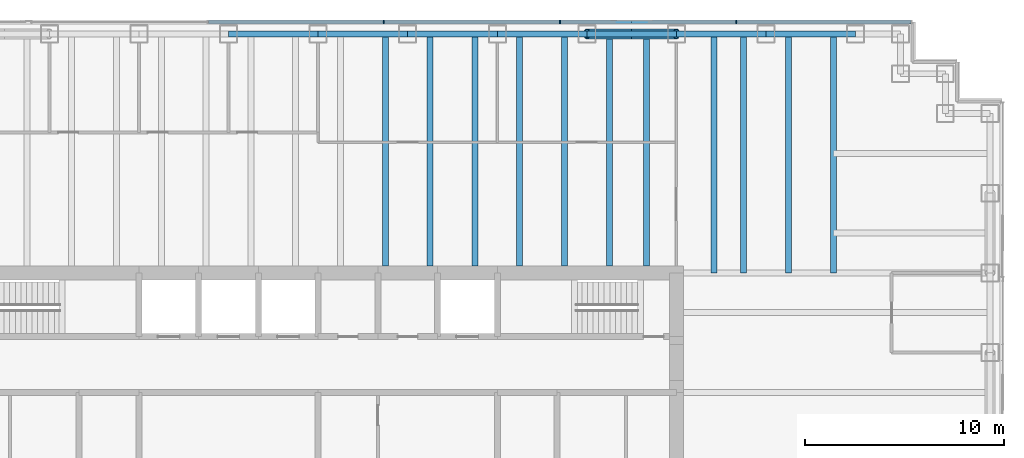
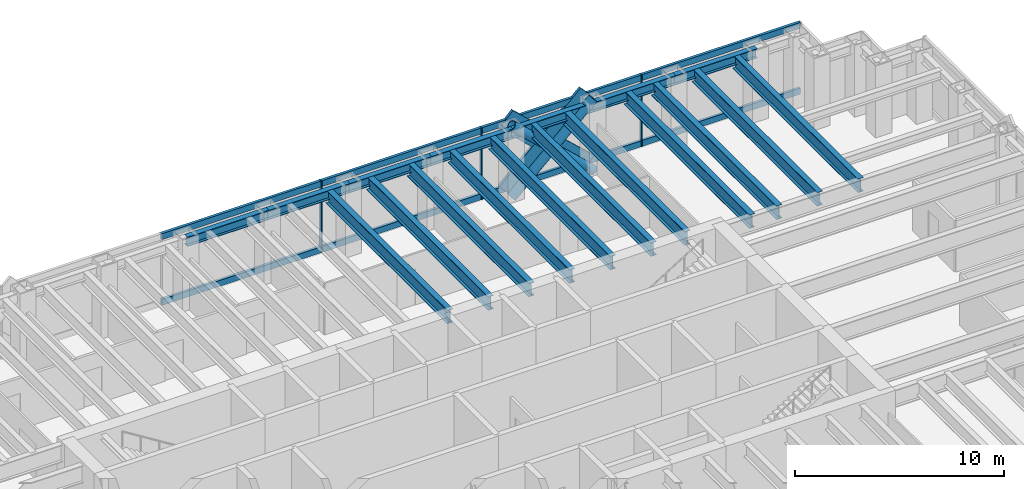
# One storey, part 7 of 17: 18 beams, 15 members, 1 element without a shape of its own.
"""IFC4 building model written with IfcOpenShell, lengths in metres."""

from ifc_helpers import new_model, si_unit, direction, frame, origin, origin_2d, place, context, subcontext, project, spatial, rectangle, hollow_circle, i_section, extrude, material, material_profile, profile_set, type_object, element, aggregate, save


model = new_model("IFC4")

# Units and contexts
model_context = context("Model", 3, precision=1e-05, world=origin(), true_north=direction((0.0, 1.0)))
body_context = subcontext(model_context, "Body", "Model", "MODEL_VIEW")
ifc_project = project(units=[si_unit("LENGTHUNIT", "METRE"), si_unit("AREAUNIT", "SQUARE_METRE"), si_unit("VOLUMEUNIT", "CUBIC_METRE"), si_unit("PLANEANGLEUNIT", "RADIAN"), si_unit("MASSUNIT", "GRAM", prefix="KILO")], contexts=[model_context])

# Site, building, storey
site_placement = place(None, origin())
site = spatial("IfcSite", under=ifc_project, at=site_placement, CompositionType="ELEMENT")
building_placement = place(site_placement, origin())
building = spatial("IfcBuilding", under=site, at=building_placement, Name="Rheinbord Bourse Tower", CompositionType="ELEMENT")
storey_placement = place(building_placement, frame((0.0, 0.0, 317.300048828125)))
storey = spatial("IfcBuildingStorey", under=building, at=storey_placement, Name="L72", CompositionType="ELEMENT", Elevation=317.300048828125)

# Curtain wall, members
ifc_material_1 = material(Name="Dark glass and black aluminium", Category="aluminium")
curtain_wall_type = type_object("IfcCurtainWallType", Name="CW3 DARK GLASS CURTAIN WALL", PredefinedType="USERDEFINED", material=ifc_material_1)
curtain_wall_placement = place(storey_placement, origin())
curtain_wall = element("IfcCurtainWall", 1, at=curtain_wall_placement, inside=storey, type_object=curtain_wall_type, Name="Curtain wall CW3 N L72", ObjectType="UNITISED CURTAIN WALL", PredefinedType="USERDEFINED")
ifc_material_2 = material(Name="Black anodised aluminium", Category="aluminium")
ifc_material_profile_1 = material_profile(ifc_material_2, rectangle(XDim=0.14990234375, YDim=1.10791015625, at=origin_2d()), Name="CW3 DIAGONAL MULLION 1108x150")
ifc_profile_set_1 = profile_set([ifc_material_profile_1], Name="Black anodised aluminium")
member_type_1 = type_object("IfcMemberType", Name="CW3 BLACK DIAGONAL MULLION", PredefinedType="USERDEFINED", material=ifc_profile_set_1)
member_1_placement = place(storey_placement, frame((54.0, 44.60009765625, 0.0), z_axis=(-0.73105922506, 0.0, 0.682314010889), x_axis=(0.0, -1.0, 0.0)))
member_1 = element("IfcMember", 2, at=member_1_placement, type_object=member_type_1, Name="CW3 diagonal mullion a", ObjectType="DIAGONAL MULLION", PredefinedType="USERDEFINED", context=body_context, shape_type="SweptSolid", body=[
    extrude(rectangle(XDim=0.14990234375, YDim=1.10791015625, at=origin_2d()), origin(), (0.0, 0.0, 1.0), 6.155517578125),
])
member_2_placement = place(storey_placement, frame((49.5, 44.60009765625, 0.0), z_axis=(0.73105922506, 0.0, 0.682314010889), x_axis=(0.0, 1.0, 0.0)))
member_2 = element("IfcMember", 3, at=member_2_placement, type_object=member_type_1, Name="CW3 diagonal mullion d", ObjectType="DIAGONAL MULLION", PredefinedType="USERDEFINED", context=body_context, shape_type="SweptSolid", body=[
    extrude(rectangle(XDim=0.14990234375, YDim=1.10791015625, at=origin_2d()), origin(), (0.0, 0.0, 1.0), 6.155517578125),
])
ifc_material_3 = material(Name="Black anodised aluminium", Category="aluminium")
ifc_material_profile_2 = material_profile(ifc_material_3, rectangle(XDim=0.199951171875, YDim=0.06494140625, at=origin_2d()), Name="CW3 MULLION 65x200")
ifc_profile_set_2 = profile_set([ifc_material_profile_2], Name="Black anodised aluminium")
member_type_2 = type_object("IfcMemberType", Name="CW3 BLACK MULLION", PredefinedType="MULLION", material=ifc_profile_set_2)
member_3_placement = place(storey_placement, frame((57.0, 44.60009765625, 0.0), z_axis=(0.0, 0.0, 1.0), x_axis=(0.0, -1.0, 0.0)))
member_3 = element("IfcMember", 4, at=member_3_placement, type_object=member_type_2, Name="CW3 mullion 2", PredefinedType="MULLION", context=body_context, shape_type="SweptSolid", body=[
    extrude(rectangle(XDim=0.199951171875, YDim=0.06494140625, at=origin_2d()), origin(), (0.0, 0.0, 1.0), 4.199951171875),
])
member_4_placement = place(storey_placement, frame((48.14990234375, 44.60009765625, 0.0), z_axis=(0.0, 0.0, 1.0), x_axis=(0.0, -1.0, 0.0)))
member_4 = element("IfcMember", 5, at=member_4_placement, type_object=member_type_2, Name="CW3 mullion 3", PredefinedType="MULLION", context=body_context, shape_type="SweptSolid", body=[
    extrude(rectangle(XDim=0.199951171875, YDim=0.06494140625, at=origin_2d()), origin(), (0.0, 0.0, 1.0), 4.199951171875),
])
member_5_placement = place(storey_placement, frame((39.300048828125, 44.60009765625, 0.0), z_axis=(0.0, 0.0, 1.0), x_axis=(0.0, -1.0, 0.0)))
member_5 = element("IfcMember", 6, at=member_5_placement, type_object=member_type_2, Name="CW3 mullion 4", PredefinedType="MULLION", context=body_context, shape_type="SweptSolid", body=[
    extrude(rectangle(XDim=0.199951171875, YDim=0.06494140625, at=origin_2d()), origin(), (0.0, 0.0, 1.0), 4.199951171875),
])
ifc_material_4 = material(Name="Black anodised aluminium", Category="aluminium")
ifc_material_profile_3 = material_profile(ifc_material_4, rectangle(XDim=0.14990234375, YDim=0.35009765625, at=origin_2d()), Name="CW3 TRANSOM 350x150")
ifc_profile_set_3 = profile_set([ifc_material_profile_3], Name="Black anodised aluminium")
member_type_3 = type_object("IfcMemberType", Name="CW3 BLACK TRANSOM", PredefinedType="USERDEFINED", material=ifc_profile_set_3)
member_6_placement = place(storey_placement, frame((65.784912109375, 44.60009765625, 0.175048828125), z_axis=(-1.0, 0.0, 0.0), x_axis=(0.0, -1.0, 0.0)))
member_6 = element("IfcMember", 7, at=member_6_placement, type_object=member_type_3, Name="CW3 transom 1.1", ObjectType="TRANSOM", PredefinedType="USERDEFINED", context=body_context, shape_type="SweptSolid", body=[
    extrude(rectangle(XDim=0.14990234375, YDim=0.35009765625, at=origin_2d()), origin(), (0.0, 0.0, 1.0), 8.75244140625),
])
member_7_placement = place(storey_placement, frame((65.784912109375, 44.60009765625, 4.02490234375), z_axis=(-1.0, 0.0, 0.0), x_axis=(0.0, -1.0, 0.0)))
member_7 = element("IfcMember", 8, at=member_7_placement, type_object=member_type_3, Name="CW3 transom 1.2", ObjectType="TRANSOM", PredefinedType="USERDEFINED", context=body_context, shape_type="SweptSolid", body=[
    extrude(rectangle(XDim=0.14990234375, YDim=0.35009765625, at=origin_2d()), origin(), (0.0, 0.0, 1.0), 8.75244140625),
])
member_8_placement = place(storey_placement, frame((56.967529296875, 44.60009765625, 0.175048828125), z_axis=(-1.0, 0.0, 0.0), x_axis=(0.0, -1.0, 0.0)))
member_8 = element("IfcMember", 9, at=member_8_placement, type_object=member_type_3, Name="CW3 transom 2.1", ObjectType="TRANSOM", PredefinedType="USERDEFINED", context=body_context, shape_type="SweptSolid", body=[
    extrude(rectangle(XDim=0.14990234375, YDim=0.35009765625, at=origin_2d()), origin(), (0.0, 0.0, 1.0), 8.784912109375),
])
member_9_placement = place(storey_placement, frame((56.967529296875, 44.60009765625, 4.02490234375), z_axis=(-1.0, 0.0, 0.0), x_axis=(0.0, -1.0, 0.0)))
member_9 = element("IfcMember", 10, at=member_9_placement, type_object=member_type_3, Name="CW3 transom 2.2", ObjectType="TRANSOM", PredefinedType="USERDEFINED", context=body_context, shape_type="SweptSolid", body=[
    extrude(rectangle(XDim=0.14990234375, YDim=0.35009765625, at=origin_2d()), origin(), (0.0, 0.0, 1.0), 8.784912109375),
])
member_10_placement = place(storey_placement, frame((48.117431640625, 44.60009765625, 0.175048828125), z_axis=(-1.0, 0.0, 0.0), x_axis=(0.0, -1.0, 0.0)))
member_10 = element("IfcMember", 11, at=member_10_placement, type_object=member_type_3, Name="CW3 transom 3.1", ObjectType="TRANSOM", PredefinedType="USERDEFINED", context=body_context, shape_type="SweptSolid", body=[
    extrude(rectangle(XDim=0.14990234375, YDim=0.35009765625, at=origin_2d()), origin(), (0.0, 0.0, 1.0), 8.784912109375),
])
member_11_placement = place(storey_placement, frame((48.117431640625, 44.60009765625, 4.02490234375), z_axis=(-1.0, 0.0, 0.0), x_axis=(0.0, -1.0, 0.0)))
member_11 = element("IfcMember", 12, at=member_11_placement, type_object=member_type_3, Name="CW3 transom 3.2", ObjectType="TRANSOM", PredefinedType="USERDEFINED", context=body_context, shape_type="SweptSolid", body=[
    extrude(rectangle(XDim=0.14990234375, YDim=0.35009765625, at=origin_2d()), origin(), (0.0, 0.0, 1.0), 8.784912109375),
])
member_12_placement = place(storey_placement, frame((39.267578125, 44.60009765625, 0.175048828125), z_axis=(-1.0, 0.0, 0.0), x_axis=(0.0, -1.0, 0.0)))
member_12 = element("IfcMember", 13, at=member_12_placement, type_object=member_type_3, Name="CW3 transom 4.1", ObjectType="TRANSOM", PredefinedType="USERDEFINED", context=body_context, shape_type="SweptSolid", body=[
    extrude(rectangle(XDim=0.14990234375, YDim=0.35009765625, at=origin_2d()), origin(), (0.0, 0.0, 1.0), 8.78515625),
])
member_13_placement = place(storey_placement, frame((39.267578125, 44.60009765625, 4.02490234375), z_axis=(-1.0, 0.0, 0.0), x_axis=(0.0, -1.0, 0.0)))
member_13 = element("IfcMember", 14, at=member_13_placement, type_object=member_type_3, Name="CW3 transom 4.2", ObjectType="TRANSOM", PredefinedType="USERDEFINED", context=body_context, shape_type="SweptSolid", body=[
    extrude(rectangle(XDim=0.14990234375, YDim=0.35009765625, at=origin_2d()), origin(), (0.0, 0.0, 1.0), 8.78515625),
])
aggregate(curtain_wall, [member_3, member_4, member_5, member_6, member_7, member_8, member_9, member_10, member_11, member_12, member_13, member_1, member_2])

# Beams
ifc_material_5 = material(Name="Steel S460", Category="steel")
ifc_material_profile_4 = material_profile(ifc_material_5, i_section(OverallWidth=0.300048828125, OverallDepth=0.800048828125, WebThickness=0.017578125, FlangeThickness=0.032958984375, at=origin_2d()), Name="HEB 800")
ifc_profile_set_4 = profile_set([ifc_material_profile_4], Name="Steel S460")
beam_type_1 = type_object("IfcBeamType", Name="FLOOR BEAM HEB 800", PredefinedType="BEAM", material=ifc_profile_set_4)
for number, where, z_axis, x_axis, name in (
    (15, (39.375, 44.0, 3.639892578125), (0.0, -1.0, 0.0), (1.0, 0.0, 0.0), "Floor beam N-36b L73"),
    (16, (41.625, 44.0, 3.639892578125), (0.0, -1.0, 0.0), (1.0, 0.0, 0.0), "Floor beam N-40.5a L73"),
    (17, (43.875, 44.0, 3.639892578125), (0.0, -1.0, 0.0), (1.0, 0.0, 0.0), "Floor beam N-40.5b L73"),
    (18, (46.125, 44.0, 3.639892578125), (0.0, -1.0, 0.0), (1.0, 0.0, 0.0), "Floor beam N-45a L73"),
    (19, (48.375, 44.0, 3.639892578125), (0.0, -1.0, 0.0), (1.0, 0.0, 0.0), "Floor beam N-45b L73"),
    (20, (50.625, 44.0, 3.639892578125), (0.0, -1.0, 0.0), (1.0, 0.0, 0.0), "Floor beam N-49.5a L73"),
    (21, (52.5, 44.0, 3.639892578125), (0.0, -1.0, 0.0), (1.0, 0.0, 0.0), "Floor beam N-49.5b L73"),
):
    element("IfcBeam", number, at=place(storey_placement, frame(where, z_axis=z_axis, x_axis=x_axis)), inside=storey, type_object=beam_type_1, Name=name, PredefinedType="BEAM", context=body_context, shape_type="SweptSolid", body=[
        extrude(i_section(OverallWidth=0.300048828125, OverallDepth=0.800048828125, WebThickness=0.017578125, FlangeThickness=0.032958984375, at=origin_2d()), origin(), (0.0, 0.0, 1.0), 11.64990234375),
    ])
for number, where, z_axis, x_axis, name in (
    (22, (55.875, 44.0, 3.639892578125), (0.0, -1.0, 0.0), (1.0, 0.0, 0.0), "Floor beam N-54a L73"),
    (23, (57.375, 44.0, 3.639892578125), (0.0, -1.0, 0.0), (1.0, 0.0, 0.0), "Floor beam N-54b L73"),
    (24, (59.625, 44.0, 3.639892578125), (0.0, -1.0, 0.0), (1.0, 0.0, 0.0), "Floor beam N-58.5a L73"),
    (25, (61.875, 44.0, 3.639892578125), (0.0, -1.0, 0.0), (1.0, 0.0, 0.0), "Floor beam N-58.5b L73"),
):
    element("IfcBeam", number, at=place(storey_placement, frame(where, z_axis=z_axis, x_axis=x_axis)), inside=storey, type_object=beam_type_1, Name=name, PredefinedType="BEAM", context=body_context, shape_type="SweptSolid", body=[
        extrude(i_section(OverallWidth=0.300048828125, OverallDepth=0.800048828125, WebThickness=0.017578125, FlangeThickness=0.032958984375, at=origin_2d()), origin(), (0.0, 0.0, 1.0), 12.0),
    ])

# Members
ifc_material_6 = material(Name="Steel S460", Category="steel")
ifc_material_profile_5 = material_profile(ifc_material_6, hollow_circle(Radius=0.25390625, WallThickness=0.030029296875, at=origin_2d()), Name="CHS 508x30")
ifc_profile_set_5 = profile_set([ifc_material_profile_5], Name="Steel S460")
member_type_4 = type_object("IfcMemberType", Name="MEGABRACE CHS 508x30", PredefinedType="BRACE", material=ifc_profile_set_5)
for number, where, z_axis, x_axis, name in (
    (26, (54.0, 44.0, 0.0), (-0.73105922506, 0.0, 0.682314010889), (0.0, -1.0, 0.0), "Megabrace N face line a L72"),
    (27, (49.5, 44.0, 0.0), (0.73105922506, 0.0, 0.682314010889), (0.0, 1.0, 0.0), "Megabrace N face line d L72"),
):
    element("IfcMember", number, at=place(storey_placement, frame(where, z_axis=z_axis, x_axis=x_axis)), inside=storey, type_object=member_type_4, Name=name, PredefinedType="BRACE", context=body_context, shape_type="SweptSolid", body=[
        extrude(hollow_circle(Radius=0.25390625, WallThickness=0.030029296875, at=origin_2d()), origin(), (0.0, 0.0, 1.0), 6.155517578125),
    ])

# Beams
ifc_material_7 = material(Name="Steel S460", Category="steel")
ifc_material_profile_6 = material_profile(ifc_material_7, i_section(OverallWidth=0.300048828125, OverallDepth=0.550048828125, WebThickness=0.014892578125, FlangeThickness=0.029052734375, at=origin_2d()), Name="HEB 550")
ifc_profile_set_6 = profile_set([ifc_material_profile_6], Name="Steel S460")
beam_type_2 = type_object("IfcBeamType", Name="SPANDREL HEB 550", PredefinedType="SPANDREL", material=ifc_profile_set_6)
for number, where, z_axis, x_axis, name in (
    (28, (63.0, 44.0, 3.764892578125), (-1.0, 0.0, 0.0), (0.0, -1.0, 0.0), "Spandrel N-63-N-58.5 under L73"),
    (29, (58.5, 44.0, 3.764892578125), (-1.0, 0.0, 0.0), (0.0, -1.0, 0.0), "Spandrel N-58.5-N-54 under L73"),
    (30, (54.0, 44.0, 3.764892578125), (-1.0, 0.0, 0.0), (0.0, -1.0, 0.0), "Spandrel N-54-N-49.5 under L73"),
    (31, (49.5, 44.0, 3.764892578125), (-1.0, 0.0, 0.0), (0.0, -1.0, 0.0), "Spandrel N-49.5-N-45 under L73"),
    (32, (45.0, 44.0, 3.764892578125), (-1.0, 0.0, 0.0), (0.0, -1.0, 0.0), "Spandrel N-45-N-40.5 under L73"),
    (33, (40.5, 44.0, 3.764892578125), (-1.0, 0.0, 0.0), (0.0, -1.0, 0.0), "Spandrel N-40.5-N-36 under L73"),
    (34, (36.0, 44.0, 3.764892578125), (-1.0, 0.0, 0.0), (0.0, -1.0, 0.0), "Spandrel N-36-N-31.5 under L73"),
):
    element("IfcBeam", number, at=place(storey_placement, frame(where, z_axis=z_axis, x_axis=x_axis)), inside=storey, type_object=beam_type_2, Name=name, PredefinedType="SPANDREL", context=body_context, shape_type="SweptSolid", body=[
        extrude(i_section(OverallWidth=0.300048828125, OverallDepth=0.550048828125, WebThickness=0.014892578125, FlangeThickness=0.029052734375, at=origin_2d()), origin(), (0.0, 0.0, 1.0), 4.5),
    ])

save(model, "model.ifc")
